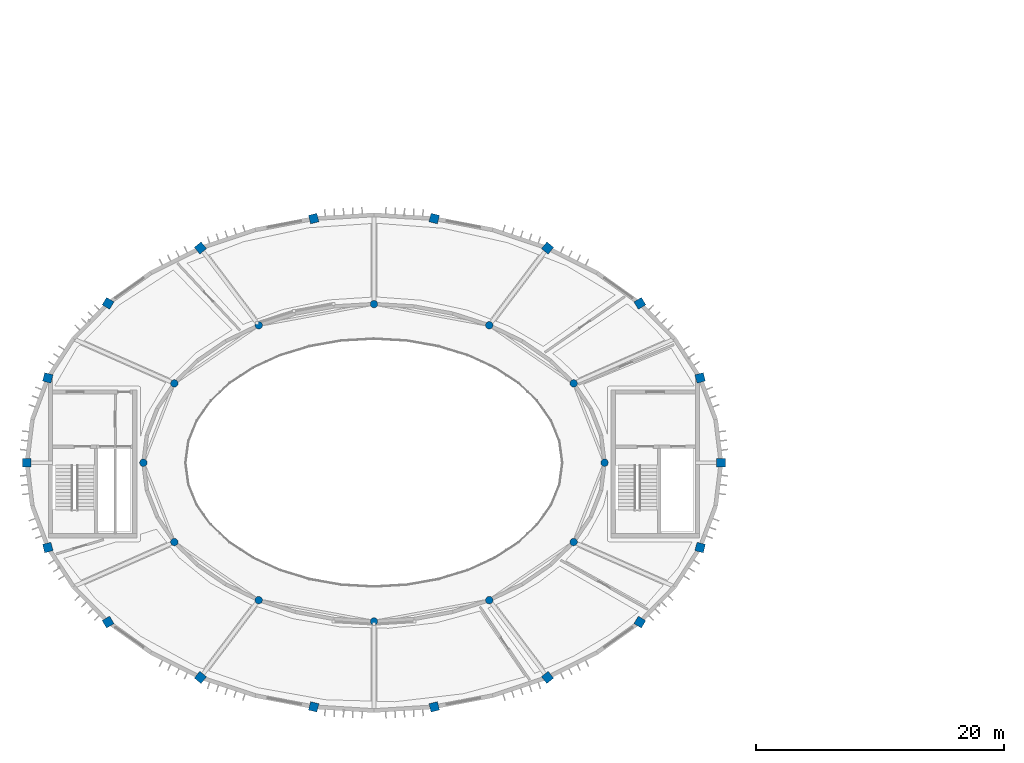
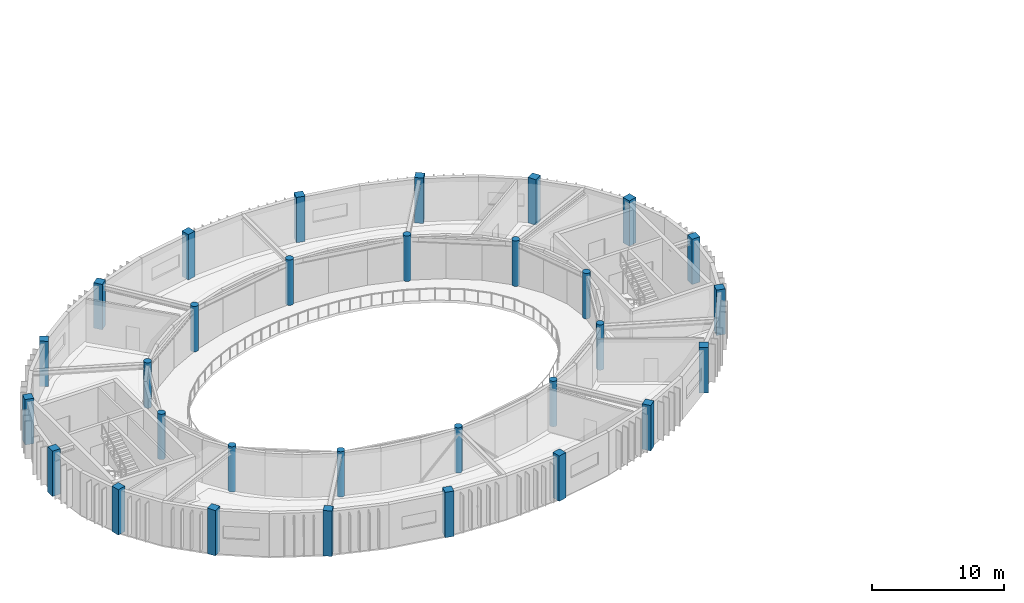
# One storey, part 1 of 29: 30 columns.
"""IFC4 building model written with IfcOpenShell, lengths in metres."""

from ifc_helpers import new_model, si_unit, direction, frame, origin, origin_2d, place, context, subcontext, project, spatial, rectangle, circle, extrude, material, material_profile, profile_set, type_object, element, save


model = new_model("IFC4")

# Units and contexts
model_context = context("Model", 3, precision=1e-05, world=origin(), true_north=direction((0.0, 1.0)))
body_context = subcontext(model_context, "Body", "Model", "MODEL_VIEW")
ifc_project = project(units=[si_unit("LENGTHUNIT", "METRE"), si_unit("AREAUNIT", "SQUARE_METRE"), si_unit("VOLUMEUNIT", "CUBIC_METRE"), si_unit("PLANEANGLEUNIT", "RADIAN"), si_unit("MASSUNIT", "GRAM", prefix="KILO")], contexts=[model_context])

# Site, building, storey
site_placement = place(None, origin())
site = spatial("IfcSite", under=ifc_project, at=site_placement, CompositionType="ELEMENT")
building_placement = place(site_placement, origin())
building = spatial("IfcBuilding", under=site, at=building_placement, Name="Tarnveldt Headland Concert Hall", CompositionType="ELEMENT")
storey_placement = place(building_placement, frame((0.0, 0.0, 18.60009765625)))
storey = spatial("IfcBuildingStorey", under=building, at=storey_placement, Name="L04", CompositionType="ELEMENT", Elevation=18.60009765625)

# Columns
ifc_material = material(Name="Concrete C40/50", Category="concrete")
ifc_material_profile_1 = material_profile(ifc_material, rectangle(XDim=0.699951171875, YDim=0.699951171875, at=origin_2d()), Name="RC 700x700", Category="concrete")
ifc_profile_set_1 = profile_set([ifc_material_profile_1], Name="Concrete C40/50")
column_type_1 = type_object("IfcColumnType", Name="CC-700", PredefinedType="COLUMN", material=ifc_profile_set_1)
for number, where, z_axis, x_axis, name in (
    (1, (111.5, 54.5, 0.0), (0.0, 0.0, 1.0), (1.0, 0.0, 0.0), "Column V2DC01 L04"),
    (2, (109.811279296875, 61.34033203125, 0.0), (0.0, 0.0, 1.0), (0.967841021032, 0.251562632376, 0.0), "Column V2DC02 L04"),
    (3, (104.94921875, 67.355712890625, 0.0), (0.0, 0.0, 1.0), (0.85770617722, 0.514140169175, 0.0), "Column V2DC03 L04"),
    (4, (97.5, 71.820556640625, 0.0), (0.0, 0.0, 1.0), (0.628641963719, 0.777694851116, 0.0), "Column V2DC04 L04"),
    (5, (88.362060546875, 74.1962890625, 0.0), (0.0, 0.0, 1.0), (0.239719743609, 0.970842131618, 0.0), "Column V2DC05 L04"),
    (6, (78.637939453125, 74.1962890625, 0.0), (0.0, 0.0, 1.0), (-0.239719743609, 0.970842131618, 0.0), "Column V2DC06 L04"),
    (7, (69.5, 71.820556640625, 0.0), (0.0, 0.0, 1.0), (-0.628641963719, 0.777694851116, 0.0), "Column V2DC07 L04"),
    (8, (62.05078125, 67.355712890625, 0.0), (0.0, 0.0, 1.0), (-0.85770617722, 0.514140169175, 0.0), "Column V2DC08 L04"),
    (9, (57.188720703125, 61.34033203125, 0.0), (0.0, 0.0, 1.0), (-0.967841021032, 0.251562632376, 0.0), "Column V2DC09 L04"),
    (10, (55.5, 54.5, 0.0), (0.0, 0.0, 1.0), (-1.0, 0.0, 0.0), "Column V2DC10 L04"),
    (11, (57.188720703125, 47.65966796875, 0.0), (0.0, 0.0, 1.0), (-0.967841021032, -0.251562632376, 0.0), "Column V2DC11 L04"),
    (12, (62.05078125, 41.644287109375, 0.0), (0.0, 0.0, 1.0), (-0.85770617722, -0.514140169175, 0.0), "Column V2DC12 L04"),
    (13, (69.5, 37.179443359375, 0.0), (0.0, 0.0, 1.0), (-0.628641963719, -0.777694851116, 0.0), "Column V2DC13 L04"),
    (14, (78.637939453125, 34.8037109375, 0.0), (0.0, 0.0, 1.0), (-0.239719743609, -0.970842131618, 0.0), "Column V2DC14 L04"),
    (15, (88.362060546875, 34.8037109375, 0.0), (0.0, 0.0, 1.0), (0.239719743609, -0.970842131618, 0.0), "Column V2DC15 L04"),
    (16, (97.5, 37.179443359375, 0.0), (0.0, 0.0, 1.0), (0.628641963719, -0.777694851116, 0.0), "Column V2DC16 L04"),
    (17, (104.94921875, 41.644287109375, 0.0), (0.0, 0.0, 1.0), (0.85770617722, -0.514140169175, 0.0), "Column V2DC17 L04"),
    (18, (109.811279296875, 47.65966796875, 0.0), (0.0, 0.0, 1.0), (0.967841021032, -0.251562632376, 0.0), "Column V2DC18 L04"),
):
    element("IfcColumn", number, at=place(storey_placement, frame(where, z_axis=z_axis, x_axis=x_axis)), inside=storey, type_object=column_type_1, Name=name, PredefinedType="COLUMN", context=body_context, shape_type="SweptSolid", body=[
        extrude(rectangle(XDim=0.699951171875, YDim=0.699951171875, at=origin_2d()), origin(), (0.0, 0.0, 1.0), 4.199951171875),
    ])
ifc_material_profile_2 = material_profile(ifc_material, circle(Radius=0.300048828125, at=origin_2d()), Name="RC D600", Category="concrete")
ifc_profile_set_2 = profile_set([ifc_material_profile_2], Name="Concrete C40/50")
column_type_2 = type_object("IfcColumnType", Name="DC-600", PredefinedType="COLUMN", material=ifc_profile_set_2)
for number, where, z_axis, x_axis, name in (
    (19, (102.10009765625, 54.5, 0.0), (0.0, 0.0, 1.0), (1.0, 0.0, 0.0), "Column V2IC01 L04"),
    (20, (99.608154296875, 60.89990234375, 0.0), (0.0, 0.0, 1.0), (0.929326043111, 0.369260213935, 0.0), "Column V2IC02 L04"),
    (21, (92.800048828125, 65.585205078125, 0.0), (0.0, 0.0, 1.0), (0.642787609687, 0.766044443119, 0.0), "Column V2IC03 L04"),
    (22, (83.5, 67.300048828125, 0.0), (0.0, 0.0, 1.0), (0.0, 1.0, 0.0), "Column V2IC04 L04"),
    (23, (74.199951171875, 65.585205078125, 0.0), (0.0, 0.0, 1.0), (-0.642787609687, 0.766044443119, 0.0), "Column V2IC05 L04"),
    (24, (67.391845703125, 60.89990234375, 0.0), (0.0, 0.0, 1.0), (-0.929326043111, 0.369260213935, 0.0), "Column V2IC06 L04"),
    (25, (64.89990234375, 54.5, 0.0), (0.0, 0.0, 1.0), (-1.0, 0.0, 0.0), "Column V2IC07 L04"),
    (26, (67.391845703125, 48.10009765625, 0.0), (0.0, 0.0, 1.0), (-0.929326043111, -0.369260213935, 0.0), "Column V2IC08 L04"),
    (27, (74.199951171875, 43.414794921875, 0.0), (0.0, 0.0, 1.0), (-0.642787609687, -0.766044443119, 0.0), "Column V2IC09 L04"),
    (28, (83.5, 41.699951171875, 0.0), (0.0, 0.0, 1.0), (0.0, -1.0, 0.0), "Column V2IC10 L04"),
    (29, (92.800048828125, 43.414794921875, 0.0), (0.0, 0.0, 1.0), (0.642787609687, -0.766044443119, 0.0), "Column V2IC11 L04"),
    (30, (99.608154296875, 48.10009765625, 0.0), (0.0, 0.0, 1.0), (0.929326043111, -0.369260213935, 0.0), "Column V2IC12 L04"),
):
    element("IfcColumn", number, at=place(storey_placement, frame(where, z_axis=z_axis, x_axis=x_axis)), inside=storey, type_object=column_type_2, Name=name, PredefinedType="COLUMN", context=body_context, shape_type="SweptSolid", body=[
        extrude(circle(Radius=0.300048828125, at=origin_2d()), origin(), (0.0, 0.0, 1.0), 4.199951171875),
    ])

save(model, "model.ifc")
